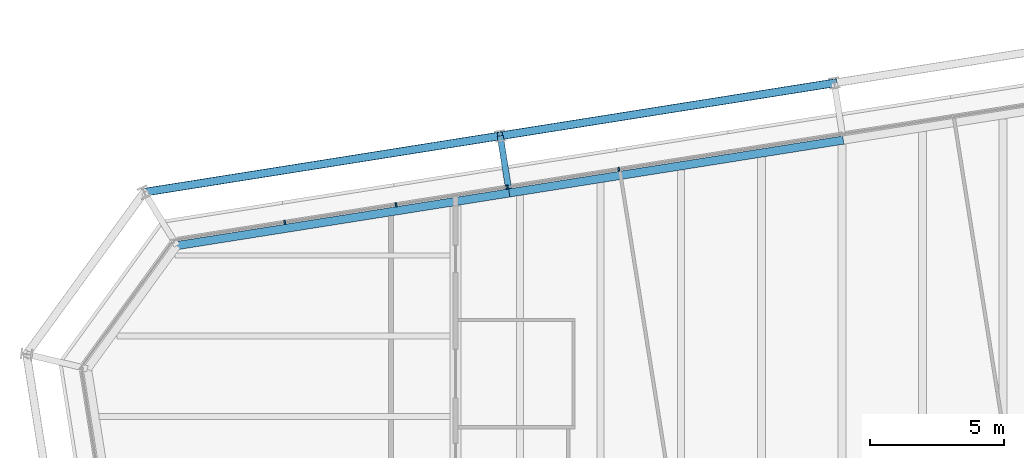
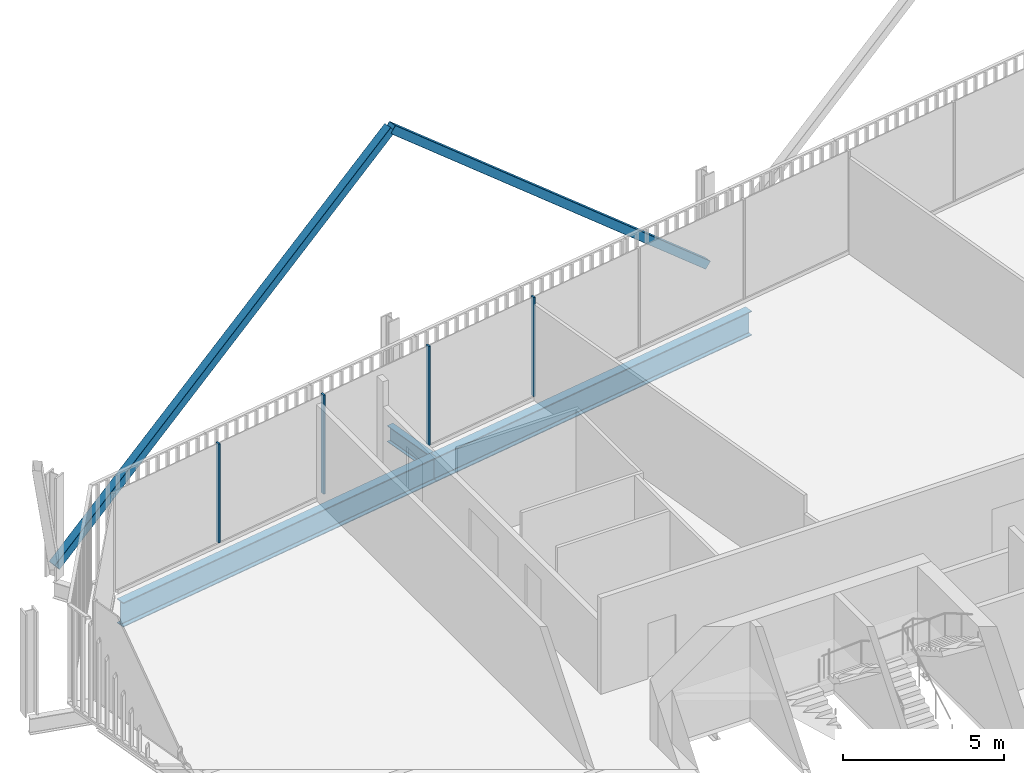
# One storey, part 13 of 21: 6 members, 3 beams, 1 element without a shape of its own.
"""IFC4 building model written with IfcOpenShell, lengths in metres."""

import ifcopenshell
import ifcopenshell.guid

model = None  # the IFC model being written
_history = None  # IfcOwnerHistory: only IFC2X3 demands one
_inside = {}  # id of a spatial element -> (the spatial element, [elements in it])
_under = {}  # id of a project, library or spatial element -> (it, [spatial elements below it])
_declared = {}  # id of a project -> (the project, [libraries it declares])
_typed = {}  # id of a type object -> (the type object, [elements of that type])
_made_of = {}  # id of a material, layer set ... -> (it, [elements and type objects made of it])


def new_model(schema):
    """Start an empty IFC model of exactly this schema.

    Asked for "IFC4X3", IfcOpenShell would pick the latest addendum, in which some entities
    have other attributes; the version numbers below select the first issue.
    IFC2X3 requires an IfcOwnerHistory on every rooted entity: one is made here for all.
    """
    global model, _history
    if schema == "IFC4X3":
        model = ifcopenshell.file(schema_version=(4, 3, 0, 0))
    else:
        model = ifcopenshell.file(schema=schema)
    _inside.clear()
    _under.clear()
    _declared.clear()
    _typed.clear()
    _made_of.clear()
    _history = None
    if model.schema == "IFC2X3":
        org = make("IfcOrganization", Name="unknown")
        user = make(
            "IfcPersonAndOrganization",
            ThePerson=make("IfcPerson", FamilyName="unknown"),
            TheOrganization=org,
        )
        app = make(
            "IfcApplication",
            ApplicationDeveloper=org,
            Version="unknown",
            ApplicationFullName="unknown",
            ApplicationIdentifier="unknown",
        )
        _history = make(
            "IfcOwnerHistory",
            OwningUser=user,
            OwningApplication=app,
            ChangeAction="ADDED",
            CreationDate=0,
        )
    return model


def make(cls, **values):
    """One entity of the class cls with the attributes given. An attribute that is None is left unset."""
    return model.create_entity(
        cls, **{name: value for name, value in values.items() if value is not None}
    )


def rooted(cls, **values):
    """An entity with a GlobalId (a new one), such as an element, a storey or a relation."""
    return make(cls, GlobalId=ifcopenshell.guid.new(), OwnerHistory=_history, **values)


def si_unit(unit_type, name, prefix=None):
    """IfcSIUnit, for example si_unit("LENGTHUNIT", "METRE", prefix="MILLI")."""
    return make("IfcSIUnit", UnitType=unit_type, Prefix=prefix, Name=name)


def assignment(units):
    """IfcUnitAssignment: the units of a project."""
    return None if units is None else make("IfcUnitAssignment", Units=units)


def point(xyz):
    """IfcCartesianPoint."""
    return None if xyz is None else make("IfcCartesianPoint", Coordinates=xyz)


def direction(xyz):
    """IfcDirection."""
    return None if xyz is None else make("IfcDirection", DirectionRatios=xyz)


def frame(location, z_axis=None, x_axis=None):
    """IfcAxis2Placement3D, a coordinate frame: its origin and axes. An axis left out is left unset."""
    return make(
        "IfcAxis2Placement3D",
        Location=point(location),
        Axis=direction(z_axis),
        RefDirection=direction(x_axis),
    )


def frame_2d(location, x_axis=None):
    """IfcAxis2Placement2D, a coordinate frame in the plane: its origin and x axis."""
    return make(
        "IfcAxis2Placement2D", Location=point(location), RefDirection=direction(x_axis)
    )


def origin():
    """The frame at (0, 0, 0) with its axes left unset."""
    return frame((0.0, 0.0, 0.0))


def origin_2d():
    """The frame at (0, 0) in the plane with its x axis left unset."""
    return frame_2d((0.0, 0.0))


def place(relative_to, where):
    """IfcLocalPlacement: puts the frame where relative to a parent placement (None: the world)."""
    return make(
        "IfcLocalPlacement", PlacementRelTo=relative_to, RelativePlacement=where
    )


def context(
    kind, dimensions, precision=None, world=None, true_north=None, identifier=None
):
    """IfcGeometricRepresentationContext, for example the 3D "Model" context."""
    return make(
        "IfcGeometricRepresentationContext",
        ContextIdentifier=identifier,
        ContextType=kind,
        CoordinateSpaceDimension=dimensions,
        Precision=precision,
        WorldCoordinateSystem=world,
        TrueNorth=true_north,
    )


def subcontext(parent, identifier, kind, view, scale=None):
    """IfcGeometricRepresentationSubContext, for example "Body" below "Model"."""
    return make(
        "IfcGeometricRepresentationSubContext",
        ContextIdentifier=identifier,
        ContextType=kind,
        ParentContext=parent,
        TargetScale=scale,
        TargetView=view,
    )


def project(units=None, contexts=None):
    """IfcProject with its units and contexts."""
    return rooted(
        "IfcProject",
        Name="project",
        RepresentationContexts=contexts,
        UnitsInContext=assignment(units),
    )


def spatial(cls, under=None, at=None, **own):
    """A site, building, storey or space (cls), placed at a placement, below another one or the project."""
    s = rooted(cls, ObjectPlacement=at, **own)
    if under is not None:
        _under.setdefault(under.id(), (under, []))[1].append(s)
    return s


def profile(cls, at=None, kind="AREA", **sizes):
    """A parametric profile (cls). Its sizes go by their IFC names, for example OverallWidth=200.0."""
    return make(cls, ProfileType=kind, Position=at, **sizes)


def rectangle(**sizes):
    """IfcRectangleProfileDef."""
    return profile("IfcRectangleProfileDef", **sizes)


def hollow_rectangle(**sizes):
    """IfcRectangleHollowProfileDef."""
    return profile("IfcRectangleHollowProfileDef", **sizes)


def i_section(**sizes):
    """IfcIShapeProfileDef."""
    return profile("IfcIShapeProfileDef", **sizes)


def extrude(swept, where, along, depth):
    """IfcExtrudedAreaSolid: the profile swept, set in the frame where, extruded along a direction by depth."""
    return make(
        "IfcExtrudedAreaSolid",
        SweptArea=swept,
        Position=where,
        ExtrudedDirection=direction(along),
        Depth=depth,
    )


def shape(context_of_items, identifier, shape_type, items):
    """IfcShapeRepresentation: the items that make up one representation, for example the "Body"."""
    return make(
        "IfcShapeRepresentation",
        ContextOfItems=context_of_items,
        RepresentationIdentifier=identifier,
        RepresentationType=shape_type,
        Items=items,
    )


def material(Name=None, Category=None):
    """IfcMaterial."""
    return make("IfcMaterial", Name=Name, Category=Category)


def layer(
    of_material, thickness, ventilated=None, Name=None, Category=None, Priority=None
):
    """IfcMaterialLayer: one layer of a wall or slab, of a material (None: an air gap)."""
    return make(
        "IfcMaterialLayer",
        Material=of_material,
        LayerThickness=thickness,
        IsVentilated=ventilated,
        Name=Name,
        Category=Category,
        Priority=Priority,
    )


def layer_set(layers, Name=None):
    """IfcMaterialLayerSet."""
    return make("IfcMaterialLayerSet", MaterialLayers=layers, LayerSetName=Name)


def material_profile(
    of_material, cross_section, Name=None, Category=None, Priority=None
):
    """IfcMaterialProfile: a cross section and its material."""
    return make(
        "IfcMaterialProfile",
        Name=Name,
        Material=of_material,
        Profile=cross_section,
        Priority=Priority,
        Category=Category,
    )


def profile_set(profiles, Name=None, composite=None):
    """IfcMaterialProfileSet."""
    return make(
        "IfcMaterialProfileSet",
        Name=Name,
        MaterialProfiles=profiles,
        CompositeProfile=composite,
    )


def made_of(thing, what):
    """Note that an element or type object is made of a material, layer set ...; save() writes the relation."""
    if what is not None:
        _made_of.setdefault(what.id(), (what, []))[1].append(thing)
    return thing


def type_object(cls, material=None, **own):
    """A type object (cls), such as IfcWallType, which elements share."""
    return made_of(rooted(cls, **own), material)


def element(
    cls,
    number,
    at=None,
    inside=None,
    cuts=None,
    type_object=None,
    material=None,
    context=None,
    identifier="Body",
    shape_type=None,
    held_by="IfcProductDefinitionShape",
    body=None,
    shapes=None,
    **own,
):
    """One element of the class cls, such as IfcWall. Its Tag is "e" and its number.

    at: its placement. inside: the storey or other place that contains it. cuts: it is an
    opening in that element (IfcRelVoidsElement). A single representation is given by context,
    identifier, shape_type and body (its items); several are given by shapes. held_by: the class
    of the entity that holds the representations. save() writes the other relations.
    """
    e = rooted(cls, Tag="e%d" % number, ObjectPlacement=at, **own)
    if body is not None:
        shapes = [shape(context, identifier, shape_type, body)]
    if shapes is not None:
        e.Representation = make(held_by, Representations=shapes)
    if inside is not None:
        _inside.setdefault(inside.id(), (inside, []))[1].append(e)
    if cuts is not None:
        rooted(
            "IfcRelVoidsElement", RelatingBuildingElement=cuts, RelatedOpeningElement=e
        )
    if type_object is not None:
        _typed.setdefault(type_object.id(), (type_object, []))[1].append(e)
    return made_of(e, material)


def aggregate(whole, parts):
    """IfcRelAggregates: a whole, such as a stair, and the parts it consists of."""
    return rooted("IfcRelAggregates", RelatingObject=whole, RelatedObjects=parts)


def save(model, path):
    """Write the relations noted so far, then the file.

    IfcRelAggregates (storeys below a building ...), IfcRelContainedInSpatialStructure (elements
    in a storey), IfcRelDefinesByType, IfcRelAssociatesMaterial and IfcRelDeclares: one each for
    every whole, place, type object, material and project.
    """
    for whole, parts in _under.values():
        aggregate(whole, parts)
    for where, things in _inside.values():
        rooted(
            "IfcRelContainedInSpatialStructure",
            RelatedElements=things,
            RelatingStructure=where,
        )
    for kind, things in _typed.values():
        rooted("IfcRelDefinesByType", RelatedObjects=things, RelatingType=kind)
    for what, things in _made_of.values():
        rooted("IfcRelAssociatesMaterial", RelatedObjects=things, RelatingMaterial=what)
    for by, libraries in _declared.values():
        rooted("IfcRelDeclares", RelatingContext=by, RelatedDefinitions=libraries)
    model.write(path)


model = new_model("IFC4")

# Units and contexts
model_context = context("Model", 3, precision=1e-05, world=origin(), true_north=direction((0.0, 1.0)))
body_context = subcontext(model_context, "Body", "Model", "MODEL_VIEW")
ifc_project = project(units=[si_unit("LENGTHUNIT", "METRE"), si_unit("AREAUNIT", "SQUARE_METRE"), si_unit("VOLUMEUNIT", "CUBIC_METRE"), si_unit("PLANEANGLEUNIT", "RADIAN"), si_unit("MASSUNIT", "GRAM", prefix="KILO")], contexts=[model_context])

# Site, building, storey
site_placement = place(None, origin())
site = spatial("IfcSite", under=ifc_project, at=site_placement, CompositionType="ELEMENT")
building_placement = place(site_placement, origin())
building = spatial("IfcBuilding", under=site, at=building_placement, Name="Millrace Tower", CompositionType="ELEMENT")
storey_placement = place(building_placement, frame((0.0, 0.0, 235.89990234375)))
storey = spatial("IfcBuildingStorey", under=building, at=storey_placement, Name="L54", CompositionType="ELEMENT", Elevation=235.89990234375)

# Curtain wall, members
ifc_material_1 = material(Name="Aluminium and glass", Category="aluminium")
ifc_layer = layer(ifc_material_1, 0.14990234375)
ifc_layer_set = layer_set([ifc_layer], Name="Aluminium and glass")
curtain_wall_type = type_object("IfcCurtainWallType", Name="CW-1 office vision curtain wall", PredefinedType="NOTDEFINED", material=ifc_layer_set)
curtain_wall_placement = place(storey_placement, origin())
curtain_wall = element("IfcCurtainWall", 1, at=curtain_wall_placement, inside=storey, type_object=curtain_wall_type, Name="Curtain wall D-F06 L54", PredefinedType="NOTDEFINED")
ifc_material_2 = material(Name="Aluminium", Category="aluminium")
ifc_material_profile_1 = material_profile(ifc_material_2, rectangle(XDim=0.06494140625, YDim=0.14990234375, at=origin_2d()))
ifc_profile_set_1 = profile_set([ifc_material_profile_1], Name="Aluminium")
member_type_1 = type_object("IfcMemberType", Name="CW-1 office vision curtain wall mullion", PredefinedType="MULLION", material=ifc_profile_set_1)
member_1_placement = place(storey_placement, frame((-8.31591796875, 27.207275390625, 0.14013671875), z_axis=(0.0, 0.0, 1.0), x_axis=(-0.987688339511, -0.156434471884, 0.0)))
member_1 = element("IfcMember", 2, at=member_1_placement, type_object=member_type_1, Name="CW1 mullion D-F06.6", PredefinedType="MULLION", context=body_context, shape_type="SweptSolid", body=[
    extrude(rectangle(XDim=0.06494140625, YDim=0.14990234375, at=origin_2d()), origin(), (0.0, 0.0, 1.0), 3.760009765625),
])
member_2_placement = place(storey_placement, frame((-12.46435546875, 26.55029296875, 0.14013671875), z_axis=(0.0, 0.0, 1.0), x_axis=(-0.987688339511, -0.156434471884, 0.0)))
member_2 = element("IfcMember", 3, at=member_2_placement, type_object=member_type_1, Name="CW1 mullion D-F06.7", PredefinedType="MULLION", context=body_context, shape_type="SweptSolid", body=[
    extrude(rectangle(XDim=0.06494140625, YDim=0.14990234375, at=origin_2d()), origin(), (0.0, 0.0, 1.0), 3.760009765625),
])
member_3_placement = place(storey_placement, frame((-16.612548828125, 25.893310546875, 0.14013671875), z_axis=(0.0, 0.0, 1.0), x_axis=(-0.987688339511, -0.156434471884, 0.0)))
member_3 = element("IfcMember", 4, at=member_3_placement, type_object=member_type_1, Name="CW1 mullion D-F06.8", PredefinedType="MULLION", context=body_context, shape_type="SweptSolid", body=[
    extrude(rectangle(XDim=0.06494140625, YDim=0.14990234375, at=origin_2d()), origin(), (0.0, 0.0, 1.0), 3.760009765625),
])
member_4_placement = place(storey_placement, frame((-20.7607421875, 25.236328125, 0.14013671875), z_axis=(0.0, 0.0, 1.0), x_axis=(-0.987688339511, -0.156434471884, 0.0)))
member_4 = element("IfcMember", 5, at=member_4_placement, type_object=member_type_1, Name="CW1 mullion D-F06.9", PredefinedType="MULLION", context=body_context, shape_type="SweptSolid", body=[
    extrude(rectangle(XDim=0.06494140625, YDim=0.14990234375, at=origin_2d()), origin(), (0.0, 0.0, 1.0), 3.760009765625),
])
aggregate(curtain_wall, [member_1, member_2, member_3, member_4])

# Members
ifc_material_3 = material(Name="Steel ASTM A500 Grade C", Category="steel")
ifc_material_profile_2 = material_profile(ifc_material_3, hollow_rectangle(XDim=0.3046875, YDim=0.3046875, WallThickness=0.009521484375, InnerFilletRadius=0.004638671875, OuterFilletRadius=0.014404296875, at=origin_2d()))
ifc_profile_set_2 = profile_set([ifc_material_profile_2], Name="Steel ASTM A500 Grade C")
member_type_2 = type_object("IfcMemberType", Name="Exoskeleton brace HSS12x12x3/8", PredefinedType="BRACE", material=ifc_profile_set_2)
member_5_placement = place(storey_placement, frame((-0.288330078125, 30.427734375, 0.400146484375), z_axis=(-0.752860595812, -0.119231850711, 0.647290266457), x_axis=(0.156422238477, -0.987690277015, 0.0)))
element("IfcMember", 6, at=member_5_placement, inside=storey, type_object=member_type_2, Name="BRC-D-L54-11", PredefinedType="BRACE", context=body_context, shape_type="SweptSolid", body=[
    extrude(hollow_rectangle(XDim=0.3046875, YDim=0.3046875, WallThickness=0.009521484375, InnerFilletRadius=0.004638671875, OuterFilletRadius=0.014404296875, at=origin_2d()), origin(), (0.0, 0.0, 1.0), 16.5302734375),
])
member_6_placement = place(storey_placement, frame((-25.996337890625, 26.35595703125, 0.400146484375), z_axis=(0.772449597241, 0.122354878679, 0.623178067157), x_axis=(-0.156448038127, 0.987686190734, 0.0)))
element("IfcMember", 7, at=member_6_placement, inside=storey, type_object=member_type_2, Name="BRC-D-L54-12", PredefinedType="BRACE", context=body_context, shape_type="SweptSolid", body=[
    extrude(hollow_rectangle(XDim=0.3046875, YDim=0.3046875, WallThickness=0.009521484375, InnerFilletRadius=0.004638671875, OuterFilletRadius=0.014404296875, at=origin_2d()), origin(), (0.0, 0.0, 1.0), 17.169921875),
])

# Beams
ifc_material_4 = material(Name="Steel ASTM A992 Grade 50", Category="steel")
ifc_material_profile_3 = material_profile(ifc_material_4, i_section(OverallWidth=0.23046875, OverallDepth=0.6171875, WebThickness=0.01318359375, FlangeThickness=0.022216796875, FilletRadius=0.012939453125, at=origin_2d()))
ifc_profile_set_3 = profile_set([ifc_material_profile_3], Name="Steel ASTM A992 Grade 50")
beam_type_1 = type_object("IfcBeamType", Name="Link beam W24x94", PredefinedType="BEAM", material=ifc_profile_set_3)
beam_1_placement = place(storey_placement, frame((-12.42041015625, 26.481201171875, -0.468505859375), z_axis=(-0.156476509441, 0.987681680499, 0.0), x_axis=(-0.987681680499, -0.156476509441, 0.0)))
element("IfcBeam", 8, at=beam_1_placement, inside=storey, type_object=beam_type_1, Name="LNK-D-L54-S1-06", PredefinedType="BEAM", context=body_context, shape_type="SweptSolid", body=[
    extrude(i_section(OverallWidth=0.23046875, OverallDepth=0.6171875, WebThickness=0.01318359375, FlangeThickness=0.022216796875, FilletRadius=0.012939453125, at=origin_2d()), origin(), (0.0, 0.0, 1.0), 2.000244140625),
])
ifc_material_5 = material(Name="Steel ASTM A992 Grade 50", Category="steel")
ifc_material_profile_4 = material_profile(ifc_material_5, i_section(OverallWidth=0.307373046875, OverallDepth=0.927001953125, WebThickness=0.01953125, FlangeThickness=0.031982421875, FilletRadius=0.01904296875, at=origin_2d()))
ifc_profile_set_4 = profile_set([ifc_material_profile_4], Name="Steel ASTM A992 Grade 50")
beam_type_2 = type_object("IfcBeamType", Name="Ring beam medium span W36x194", PredefinedType="SPANDREL", material=ifc_profile_set_4)
beam_2_placement = place(storey_placement, frame((-24.7783203125, 24.368408203125, -0.62353515625), z_axis=(0.987687213011, 0.156441584157, 0.0), x_axis=(-0.156441584157, 0.987687213011, 0.0)))
element("IfcBeam", 9, at=beam_2_placement, inside=storey, type_object=beam_type_2, Name="RNG-D-L54-S1-05", PredefinedType="SPANDREL", context=body_context, shape_type="SweptSolid", body=[
    extrude(i_section(OverallWidth=0.307373046875, OverallDepth=0.927001953125, WebThickness=0.01953125, FlangeThickness=0.031982421875, FilletRadius=0.01904296875, at=origin_2d()), origin(), (0.0, 0.0, 1.0), 12.5361328125),
])
beam_3_placement = place(storey_placement, frame((-12.396484375, 26.32958984375, -0.62353515625), z_axis=(0.987690277015, 0.156422238477, 0.0), x_axis=(-0.156422238477, 0.987690277015, 0.0)))
element("IfcBeam", 10, at=beam_3_placement, inside=storey, type_object=beam_type_2, Name="RNG-D-L54-S1-06", PredefinedType="SPANDREL", context=body_context, shape_type="SweptSolid", body=[
    extrude(i_section(OverallWidth=0.307373046875, OverallDepth=0.927001953125, WebThickness=0.01953125, FlangeThickness=0.031982421875, FilletRadius=0.01904296875, at=origin_2d()), origin(), (0.0, 0.0, 1.0), 12.60009765625),
])

save(model, "model.ifc")
